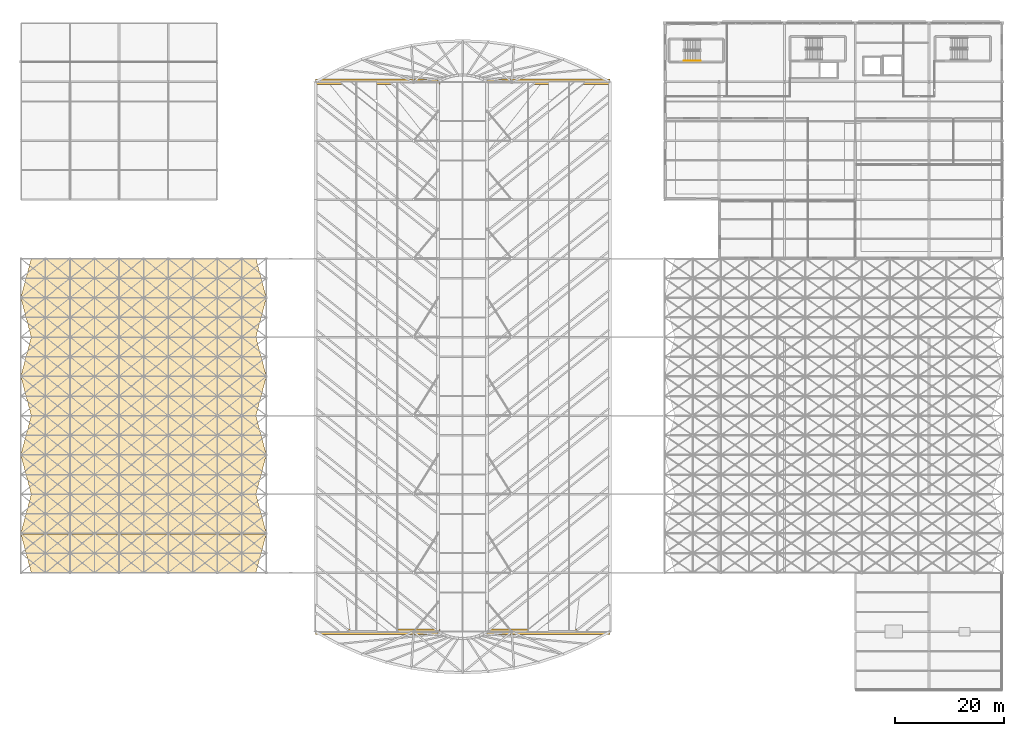
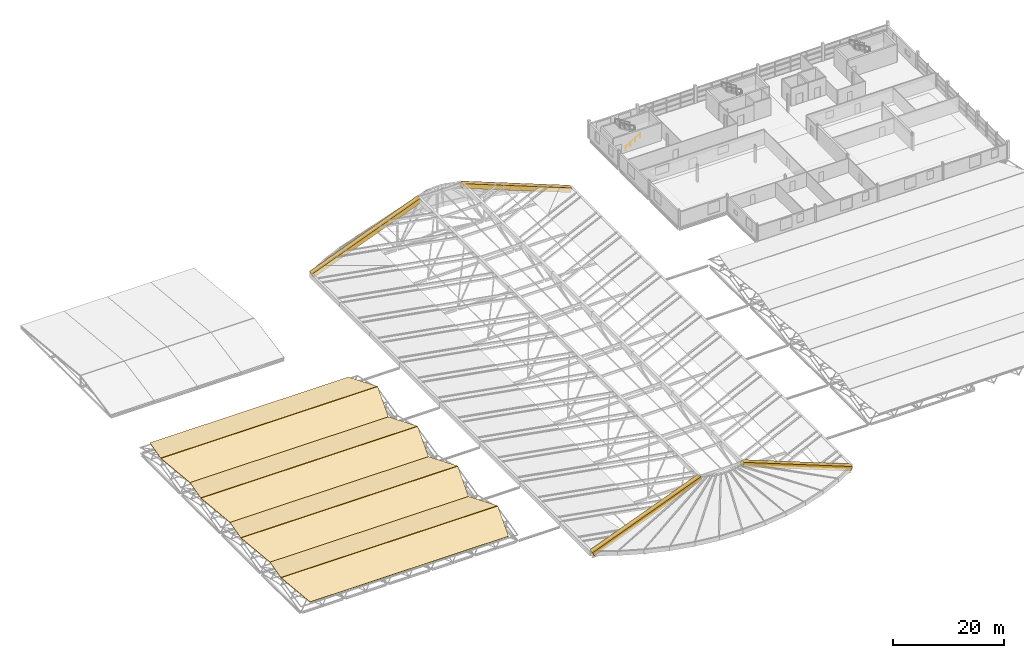
# One storey, part 105 of 110: 12 coverings, 1 railing.
"""IFC4 building model written with IfcOpenShell, lengths in metres."""

from ifc_helpers import new_model, si_unit, direction, frame, origin, origin_2d, place, context, subcontext, project, spatial, polyline, circle, outline, extrude, material, layer, layer_set, type_object, element, save


model = new_model("IFC4")

# Units and contexts
model_context = context("Model", 3, precision=1e-05, world=origin(), true_north=direction((0.0, 1.0)))
body_context = subcontext(model_context, "Body", "Model", "MODEL_VIEW")
ifc_project = project(units=[si_unit("LENGTHUNIT", "METRE"), si_unit("AREAUNIT", "SQUARE_METRE"), si_unit("VOLUMEUNIT", "CUBIC_METRE"), si_unit("PLANEANGLEUNIT", "RADIAN"), si_unit("MASSUNIT", "GRAM", prefix="KILO")], contexts=[model_context])

# Site, building, storey
site_placement = place(None, origin())
site = spatial("IfcSite", under=ifc_project, at=site_placement, CompositionType="ELEMENT")
building_placement = place(site_placement, origin())
building = spatial("IfcBuilding", under=site, at=building_placement, Name="Tamarisk Ironworks Central Station", CompositionType="ELEMENT")
storey_placement = place(building_placement, frame((0.0, 0.0, 17.39990234375)))
storey = spatial("IfcBuildingStorey", under=building, at=storey_placement, Name="L03", CompositionType="ELEMENT", Elevation=17.39990234375)

# Coverings
ifc_material_1 = material(Name="Standing-seam zinc-aluminium roofing", Category="aluminium")
ifc_layer = layer(ifc_material_1, 0.080078125)
ifc_layer_set = layer_set([ifc_layer], Name="Standing-seam zinc-aluminium roofing")
covering_type = type_object("IfcCoveringType", Name="COV-ROOF", PredefinedType="ROOFING", material=ifc_layer_set)
covering_1_placement = place(storey_placement, frame((1.89990234375, 21.60009765625, -0.0830078125), z_axis=(0.0, -0.223382748835, 0.974730807722), x_axis=(1.0, 0.0, 0.0)))
element("IfcCovering", 1, at=covering_1_placement, inside=storey, type_object=covering_type, Name="Train shed zinc-aluminium roof covering WEST-1S", PredefinedType="ROOFING", context=body_context, shape_type="SweptSolid", body=[
    extrude(outline(polyline([(0.0, 0.0), (41.2001953125, 0.0), (43.10009765625, 7.330249002743276), (-1.89990234375, 7.330249002743276), (0.0, 0.0)])), origin(), (0.0, 0.0, -1.0), 0.080078125),
])
covering_2_placement = place(storey_placement, frame((0.0, 28.85498046875, 1.554443359375), z_axis=(0.0, 0.223382748835, 0.974730807722), x_axis=(1.0, 0.0, 0.0)))
element("IfcCovering", 2, at=covering_2_placement, inside=storey, type_object=covering_type, Name="Train shed zinc-aluminium roof covering WEST-1N", PredefinedType="ROOFING", context=body_context, shape_type="SweptSolid", body=[
    extrude(outline(polyline([(0.0, 0.0), (45.0, 0.0), (43.10009765625, 7.330249002743276), (1.89990234375, 7.330249002743276), (0.0, 0.0)])), origin(), (0.0, 0.0, -1.0), 0.080078125),
])
covering_3_placement = place(storey_placement, frame((1.89990234375, 36.0, -0.0830078125), z_axis=(0.0, -0.223382748835, 0.974730807722), x_axis=(1.0, 0.0, 0.0)))
element("IfcCovering", 3, at=covering_3_placement, inside=storey, type_object=covering_type, Name="Train shed zinc-aluminium roof covering WEST-2S", PredefinedType="ROOFING", context=body_context, shape_type="SweptSolid", body=[
    extrude(outline(polyline([(0.0, 0.0), (41.2001953125, 0.0), (43.10009765625, 7.330249002743276), (-1.89990234375, 7.330249002743276), (0.0, 0.0)])), origin(), (0.0, 0.0, -1.0), 0.080078125),
])
covering_4_placement = place(storey_placement, frame((0.0, 43.2548828125, 1.554443359375), z_axis=(0.0, 0.223382748835, 0.974730807722), x_axis=(1.0, 0.0, 0.0)))
element("IfcCovering", 4, at=covering_4_placement, inside=storey, type_object=covering_type, Name="Train shed zinc-aluminium roof covering WEST-2N", PredefinedType="ROOFING", context=body_context, shape_type="SweptSolid", body=[
    extrude(outline(polyline([(0.0, 0.0), (45.0, 0.0), (43.10009765625, 7.330249002743276), (1.89990234375, 7.330249002743276), (0.0, 0.0)])), origin(), (0.0, 0.0, -1.0), 0.080078125),
])
covering_5_placement = place(storey_placement, frame((1.89990234375, 50.39990234375, -0.0830078125), z_axis=(0.0, -0.223382748835, 0.974730807722), x_axis=(1.0, 0.0, 0.0)))
element("IfcCovering", 5, at=covering_5_placement, inside=storey, type_object=covering_type, Name="Train shed zinc-aluminium roof covering WEST-3S", PredefinedType="ROOFING", context=body_context, shape_type="SweptSolid", body=[
    extrude(outline(polyline([(0.0, 0.0), (41.2001953125, 0.0), (43.10009765625, 7.330249002743276), (-1.89990234375, 7.330249002743276), (0.0, 0.0)])), origin(), (0.0, 0.0, -1.0), 0.080078125),
])
covering_6_placement = place(storey_placement, frame((0.0, 57.655029296875, 1.554443359375), z_axis=(0.0, 0.223382748835, 0.974730807722), x_axis=(1.0, 0.0, 0.0)))
element("IfcCovering", 6, at=covering_6_placement, inside=storey, type_object=covering_type, Name="Train shed zinc-aluminium roof covering WEST-3N", PredefinedType="ROOFING", context=body_context, shape_type="SweptSolid", body=[
    extrude(outline(polyline([(0.0, 0.0), (45.0, 0.0), (43.10009765625, 7.330249002743276), (1.89990234375, 7.330249002743276), (0.0, 0.0)])), origin(), (0.0, 0.0, -1.0), 0.080078125),
])
covering_7_placement = place(storey_placement, frame((1.89990234375, 64.800048828125, -0.0830078125), z_axis=(0.0, -0.223382748835, 0.974730807722), x_axis=(1.0, 0.0, 0.0)))
element("IfcCovering", 7, at=covering_7_placement, inside=storey, type_object=covering_type, Name="Train shed zinc-aluminium roof covering WEST-4S", PredefinedType="ROOFING", context=body_context, shape_type="SweptSolid", body=[
    extrude(outline(polyline([(0.0, 0.0), (41.2001953125, 0.0), (43.10009765625, 7.330249002743276), (-1.89990234375, 7.330249002743276), (0.0, 0.0)])), origin(), (0.0, 0.0, -1.0), 0.080078125),
])
covering_8_placement = place(storey_placement, frame((0.0, 72.054931640625, 1.554443359375), z_axis=(0.0, 0.223382748835, 0.974730807722), x_axis=(1.0, 0.0, 0.0)))
element("IfcCovering", 8, at=covering_8_placement, inside=storey, type_object=covering_type, Name="Train shed zinc-aluminium roof covering WEST-4N", PredefinedType="ROOFING", context=body_context, shape_type="SweptSolid", body=[
    extrude(outline(polyline([(0.0, 0.0), (45.0, 0.0), (43.10009765625, 7.330249002743276), (1.89990234375, 7.330249002743276), (0.0, 0.0)])), origin(), (0.0, 0.0, -1.0), 0.080078125),
])
for number, where, z_axis, x_axis, name in (
    (9, (54.0, 10.280029296875, -0.659912109375), (-0.364245030892, 0.0, 0.931303150145), (0.931303150145, 0.0, 0.364245030892), "Concourse portal throat valley gutter flashing 109"),
    (10, (85.5, 10.280029296875, 8.14013671875), (0.364245030892, 0.0, 0.931303150145), (0.931303150145, 0.0, -0.364245030892), "Concourse portal throat valley gutter flashing 110"),
    (11, (54.0, 111.080078125, -0.659912109375), (-0.364245030892, 0.0, 0.931303150145), (0.931303150145, 0.0, 0.364245030892), "Concourse portal throat valley gutter flashing 111"),
    (12, (85.5, 111.080078125, 8.14013671875), (0.364245030892, 0.0, 0.931303150145), (0.931303150145, 0.0, -0.364245030892), "Concourse portal throat valley gutter flashing 112"),
):
    element("IfcCovering", number, at=place(storey_placement, frame(where, z_axis=z_axis, x_axis=x_axis)), inside=storey, type_object=covering_type, Name=name, PredefinedType="ROOFING", context=body_context, shape_type="SweptSolid", body=[
        extrude(outline(polyline([(0.0, 0.0), (24.159694935519866, 0.0), (24.159694935519866, 1.0400390625), (0.0, 1.0400390625), (0.0, 0.0)])), origin(), (0.0, 0.0, -1.0), 0.9599609375),
    ])

# Railing
ifc_material_2 = material(Name="Brushed stainless steel AISI 316", Category="steel")
railing_type = type_object("IfcRailingType", Name="RL-HAND", PredefinedType="HANDRAIL", material=ifc_material_2)
railing_placement = place(storey_placement, frame((121.60009765625, 115.449951171875, 0.177490234375)))
element("IfcRailing", 13, at=railing_placement, inside=storey, type_object=railing_type, Name="L03 ST-C5 stair handrail 1", PredefinedType="HANDRAIL", context=body_context, shape_type="SweptSolid", body=[
    extrude(circle(Radius=0.02392578125, at=origin_2d()), frame((0.0, 0.0, 0.8759765625), z_axis=(0.86092931783, 0.0, 0.508724591208), x_axis=(0.0, 1.0, 0.0)), (0.0, 0.0, 1.0), 3.484619140625),
    extrude(circle(Radius=0.02099609375, at=origin_2d()), origin(), (0.0, 0.0, 1.0), 0.851806640625),
    extrude(circle(Radius=0.02099609375, at=origin_2d()), frame((1.0, 0.0, 0.5908203125)), (0.0, 0.0, 1.0), 0.851806640625),
    extrude(circle(Radius=0.02099609375, at=origin_2d()), frame((2.0, 0.0, 1.181884765625)), (0.0, 0.0, 1.0), 0.851806640625),
    extrude(circle(Radius=0.02099609375, at=origin_2d()), frame((3.0, 0.0, 1.772705078125)), (0.0, 0.0, 1.0), 0.851806640625),
])

save(model, "model.ifc")
